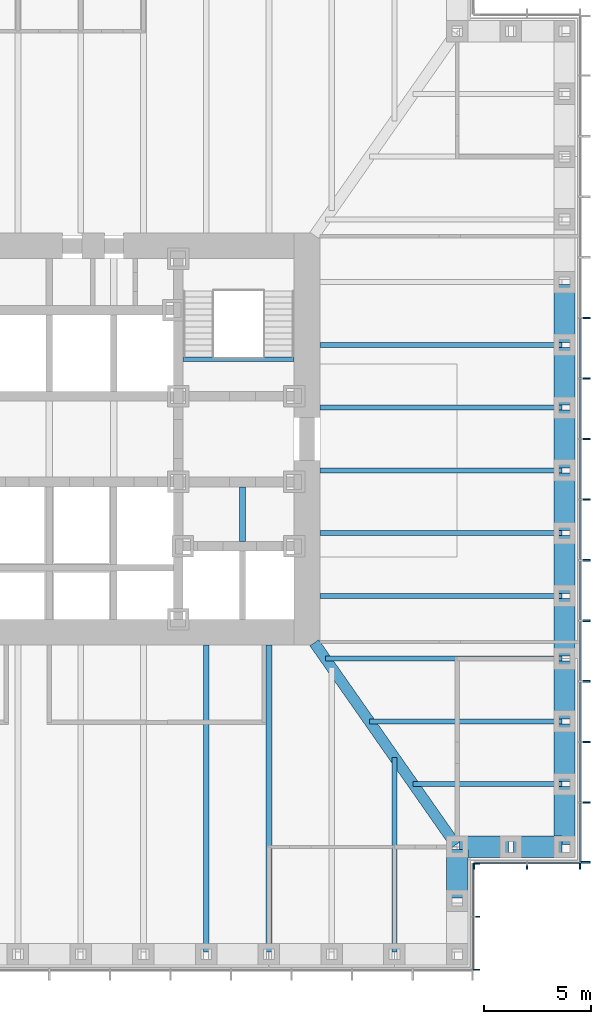
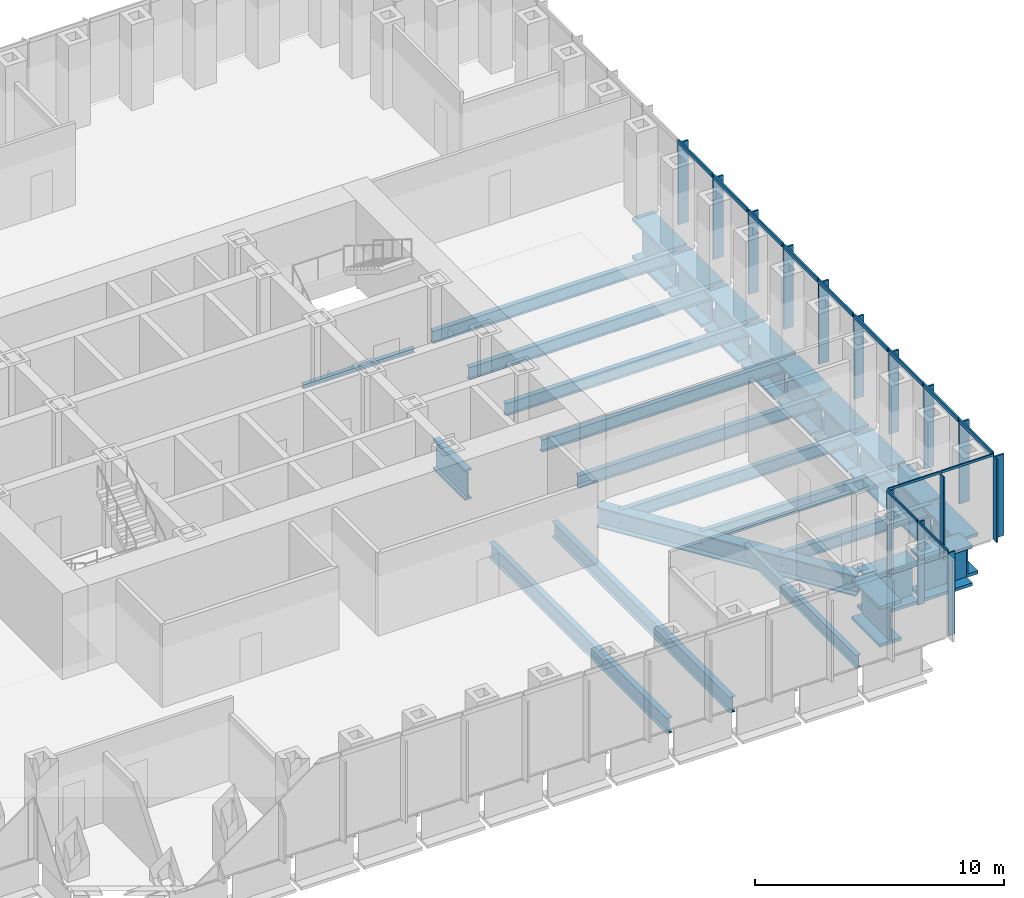
# One storey, part 4 of 16: 29 members, 26 beams, 3 elements without a shape of their own.
"""IFC4 building model written with IfcOpenShell, lengths in metres."""

from ifc_helpers import new_model, si_unit, direction, frame, origin, origin_2d, place, context, subcontext, project, spatial, rectangle, i_section, extrude, material, material_profile, profile_set, type_object, element, aggregate, save


model = new_model("IFC4")

# Units and contexts
model_context = context("Model", 3, precision=1e-05, world=origin(), true_north=direction((0.0, 1.0)))
body_context = subcontext(model_context, "Body", "Model", "MODEL_VIEW")
ifc_project = project(units=[si_unit("LENGTHUNIT", "METRE"), si_unit("AREAUNIT", "SQUARE_METRE"), si_unit("VOLUMEUNIT", "CUBIC_METRE"), si_unit("PLANEANGLEUNIT", "RADIAN"), si_unit("MASSUNIT", "GRAM", prefix="KILO")], contexts=[model_context])

# Site, building, storey
site_placement = place(None, origin())
site = spatial("IfcSite", under=ifc_project, at=site_placement, CompositionType="ELEMENT")
building_placement = place(site_placement, origin())
building = spatial("IfcBuilding", under=site, at=building_placement, Name="Daluyong Arena Tower", CompositionType="ELEMENT")
storey_placement = place(building_placement, frame((0.0, 0.0, 43.300048828125)))
storey = spatial("IfcBuildingStorey", under=building, at=storey_placement, Name="L08", CompositionType="ELEMENT", Elevation=43.300048828125)

# Curtain wall, members
ifc_material_1 = material(Name="Bronze anodised aluminium and glass", Category="aluminium")
curtain_wall_type_1 = type_object("IfcCurtainWallType", Name="Curtain wall CW1", PredefinedType="USERDEFINED", material=ifc_material_1)
curtain_wall_1_placement = place(storey_placement, origin())
curtain_wall_1 = element("IfcCurtainWall", 1, at=curtain_wall_1_placement, inside=storey, type_object=curtain_wall_type_1, Name="curtain wall L08 E", ObjectType="UNITISED CURTAIN WALL", PredefinedType="USERDEFINED")
ifc_material_2 = material(Name="Bronze anodised aluminium fin", Category="aluminium")
ifc_material_profile_1 = material_profile(ifc_material_2, rectangle(XDim=0.449951171875, YDim=0.080078125, at=origin_2d()))
ifc_profile_set_1 = profile_set([ifc_material_profile_1], Name="Bronze anodised aluminium fin")
member_type_1 = type_object("IfcMemberType", Name="CW1 bronze fin 450x80", PredefinedType="MULLION", material=ifc_profile_set_1)
member_1_placement = place(storey_placement, frame((80.97509765625, 60.2900390625, 0.0), z_axis=(0.0, 0.0, 1.0), x_axis=(-1.0, 0.0, 0.0)))
member_1 = element("IfcMember", 2, at=member_1_placement, type_object=member_type_1, Name="curtain wall L08 E fin 1", PredefinedType="MULLION", context=body_context, shape_type="SweptSolid", body=[
    extrude(rectangle(XDim=0.449951171875, YDim=0.080078125, at=origin_2d()), origin(), (0.0, 0.0, 1.0), 4.0),
])
member_2_placement = place(storey_placement, frame((80.97509765625, 63.071533203125, 0.0), z_axis=(0.0, 0.0, 1.0), x_axis=(-1.0, 0.0, 0.0)))
member_2 = element("IfcMember", 3, at=member_2_placement, type_object=member_type_1, Name="curtain wall L08 E fin 2", PredefinedType="MULLION", context=body_context, shape_type="SweptSolid", body=[
    extrude(rectangle(XDim=0.449951171875, YDim=0.080078125, at=origin_2d()), origin(), (0.0, 0.0, 1.0), 4.0),
])
member_3_placement = place(storey_placement, frame((80.97509765625, 65.892822265625, 0.0), z_axis=(0.0, 0.0, 1.0), x_axis=(-1.0, 0.0, 0.0)))
member_3 = element("IfcMember", 4, at=member_3_placement, type_object=member_type_1, Name="curtain wall L08 E fin 3", PredefinedType="MULLION", context=body_context, shape_type="SweptSolid", body=[
    extrude(rectangle(XDim=0.449951171875, YDim=0.080078125, at=origin_2d()), origin(), (0.0, 0.0, 1.0), 4.0),
])
member_4_placement = place(storey_placement, frame((80.97509765625, 68.71435546875, 0.0), z_axis=(0.0, 0.0, 1.0), x_axis=(-1.0, 0.0, 0.0)))
member_4 = element("IfcMember", 5, at=member_4_placement, type_object=member_type_1, Name="curtain wall L08 E fin 4", PredefinedType="MULLION", context=body_context, shape_type="SweptSolid", body=[
    extrude(rectangle(XDim=0.449951171875, YDim=0.080078125, at=origin_2d()), origin(), (0.0, 0.0, 1.0), 4.0),
])
member_5_placement = place(storey_placement, frame((80.97509765625, 71.53564453125, 0.0), z_axis=(0.0, 0.0, 1.0), x_axis=(-1.0, 0.0, 0.0)))
member_5 = element("IfcMember", 6, at=member_5_placement, type_object=member_type_1, Name="curtain wall L08 E fin 5", PredefinedType="MULLION", context=body_context, shape_type="SweptSolid", body=[
    extrude(rectangle(XDim=0.449951171875, YDim=0.080078125, at=origin_2d()), origin(), (0.0, 0.0, 1.0), 4.0),
])
member_6_placement = place(storey_placement, frame((80.97509765625, 74.357177734375, 0.0), z_axis=(0.0, 0.0, 1.0), x_axis=(-1.0, 0.0, 0.0)))
member_6 = element("IfcMember", 7, at=member_6_placement, type_object=member_type_1, Name="curtain wall L08 E fin 6", PredefinedType="MULLION", context=body_context, shape_type="SweptSolid", body=[
    extrude(rectangle(XDim=0.449951171875, YDim=0.080078125, at=origin_2d()), origin(), (0.0, 0.0, 1.0), 4.0),
])
member_7_placement = place(storey_placement, frame((80.97509765625, 77.178466796875, 0.0), z_axis=(0.0, 0.0, 1.0), x_axis=(-1.0, 0.0, 0.0)))
member_7 = element("IfcMember", 8, at=member_7_placement, type_object=member_type_1, Name="curtain wall L08 E fin 7", PredefinedType="MULLION", context=body_context, shape_type="SweptSolid", body=[
    extrude(rectangle(XDim=0.449951171875, YDim=0.080078125, at=origin_2d()), origin(), (0.0, 0.0, 1.0), 4.0),
])
member_8_placement = place(storey_placement, frame((80.97509765625, 80.0, 0.0), z_axis=(0.0, 0.0, 1.0), x_axis=(-1.0, 0.0, 0.0)))
member_8 = element("IfcMember", 9, at=member_8_placement, type_object=member_type_1, Name="curtain wall L08 E fin 8", PredefinedType="MULLION", context=body_context, shape_type="SweptSolid", body=[
    extrude(rectangle(XDim=0.449951171875, YDim=0.080078125, at=origin_2d()), origin(), (0.0, 0.0, 1.0), 4.0),
])
member_9_placement = place(storey_placement, frame((80.97509765625, 82.821533203125, 0.0), z_axis=(0.0, 0.0, 1.0), x_axis=(-1.0, 0.0, 0.0)))
member_9 = element("IfcMember", 10, at=member_9_placement, type_object=member_type_1, Name="curtain wall L08 E fin 9", PredefinedType="MULLION", context=body_context, shape_type="SweptSolid", body=[
    extrude(rectangle(XDim=0.449951171875, YDim=0.080078125, at=origin_2d()), origin(), (0.0, 0.0, 1.0), 4.0),
])
member_10_placement = place(storey_placement, frame((80.97509765625, 85.642822265625, 0.0), z_axis=(0.0, 0.0, 1.0), x_axis=(-1.0, 0.0, 0.0)))
member_10 = element("IfcMember", 11, at=member_10_placement, type_object=member_type_1, Name="curtain wall L08 E fin 10", PredefinedType="MULLION", context=body_context, shape_type="SweptSolid", body=[
    extrude(rectangle(XDim=0.449951171875, YDim=0.080078125, at=origin_2d()), origin(), (0.0, 0.0, 1.0), 4.0),
])
ifc_material_3 = material(Name="Bronze anodised aluminium", Category="aluminium")
ifc_material_profile_2 = material_profile(ifc_material_3, rectangle(XDim=0.080078125, YDim=0.199951171875, at=origin_2d()))
ifc_profile_set_2 = profile_set([ifc_material_profile_2], Name="Bronze anodised aluminium")
member_type_2 = type_object("IfcMemberType", Name="CW1 stack transom 200x80", PredefinedType="USERDEFINED", material=ifc_profile_set_2)
member_11_placement = place(storey_placement, frame((80.75, 60.330078125, 4.099853515625), z_axis=(0.0, 1.0, 0.0), x_axis=(-1.0, 0.0, 0.0)))
member_11 = element("IfcMember", 12, at=member_11_placement, type_object=member_type_2, Name="curtain wall L08 E transom 1", ObjectType="TRANSOM", PredefinedType="USERDEFINED", context=body_context, shape_type="SweptSolid", body=[
    extrude(rectangle(XDim=0.080078125, YDim=0.199951171875, at=origin_2d()), origin(), (0.0, 0.0, 1.0), 2.701416015625),
])
member_12_placement = place(storey_placement, frame((80.75, 63.111328125, 4.099853515625), z_axis=(0.0, 1.0, 0.0), x_axis=(-1.0, 0.0, 0.0)))
member_12 = element("IfcMember", 13, at=member_12_placement, type_object=member_type_2, Name="curtain wall L08 E transom 2", ObjectType="TRANSOM", PredefinedType="USERDEFINED", context=body_context, shape_type="SweptSolid", body=[
    extrude(rectangle(XDim=0.080078125, YDim=0.199951171875, at=origin_2d()), origin(), (0.0, 0.0, 1.0), 2.741455078125),
])
member_13_placement = place(storey_placement, frame((80.75, 65.932861328125, 4.099853515625), z_axis=(0.0, 1.0, 0.0), x_axis=(-1.0, 0.0, 0.0)))
member_13 = element("IfcMember", 14, at=member_13_placement, type_object=member_type_2, Name="curtain wall L08 E transom 3", ObjectType="TRANSOM", PredefinedType="USERDEFINED", context=body_context, shape_type="SweptSolid", body=[
    extrude(rectangle(XDim=0.080078125, YDim=0.199951171875, at=origin_2d()), origin(), (0.0, 0.0, 1.0), 2.741455078125),
])
member_14_placement = place(storey_placement, frame((80.75, 68.75439453125, 4.099853515625), z_axis=(0.0, 1.0, 0.0), x_axis=(-1.0, 0.0, 0.0)))
member_14 = element("IfcMember", 15, at=member_14_placement, type_object=member_type_2, Name="curtain wall L08 E transom 4", ObjectType="TRANSOM", PredefinedType="USERDEFINED", context=body_context, shape_type="SweptSolid", body=[
    extrude(rectangle(XDim=0.080078125, YDim=0.199951171875, at=origin_2d()), origin(), (0.0, 0.0, 1.0), 2.7412109375),
])
member_15_placement = place(storey_placement, frame((80.75, 71.57568359375, 4.099853515625), z_axis=(0.0, 1.0, 0.0), x_axis=(-1.0, 0.0, 0.0)))
member_15 = element("IfcMember", 16, at=member_15_placement, type_object=member_type_2, Name="curtain wall L08 E transom 5", ObjectType="TRANSOM", PredefinedType="USERDEFINED", context=body_context, shape_type="SweptSolid", body=[
    extrude(rectangle(XDim=0.080078125, YDim=0.199951171875, at=origin_2d()), origin(), (0.0, 0.0, 1.0), 2.741455078125),
])
member_16_placement = place(storey_placement, frame((80.75, 74.397216796875, 4.099853515625), z_axis=(0.0, 1.0, 0.0), x_axis=(-1.0, 0.0, 0.0)))
member_16 = element("IfcMember", 17, at=member_16_placement, type_object=member_type_2, Name="curtain wall L08 E transom 6", ObjectType="TRANSOM", PredefinedType="USERDEFINED", context=body_context, shape_type="SweptSolid", body=[
    extrude(rectangle(XDim=0.080078125, YDim=0.199951171875, at=origin_2d()), origin(), (0.0, 0.0, 1.0), 2.741455078125),
])
member_17_placement = place(storey_placement, frame((80.75, 77.218505859375, 4.099853515625), z_axis=(0.0, 1.0, 0.0), x_axis=(-1.0, 0.0, 0.0)))
member_17 = element("IfcMember", 18, at=member_17_placement, type_object=member_type_2, Name="curtain wall L08 E transom 7", ObjectType="TRANSOM", PredefinedType="USERDEFINED", context=body_context, shape_type="SweptSolid", body=[
    extrude(rectangle(XDim=0.080078125, YDim=0.199951171875, at=origin_2d()), origin(), (0.0, 0.0, 1.0), 2.741455078125),
])
member_18_placement = place(storey_placement, frame((80.75, 80.0400390625, 4.099853515625), z_axis=(0.0, 1.0, 0.0), x_axis=(-1.0, 0.0, 0.0)))
member_18 = element("IfcMember", 19, at=member_18_placement, type_object=member_type_2, Name="curtain wall L08 E transom 8", ObjectType="TRANSOM", PredefinedType="USERDEFINED", context=body_context, shape_type="SweptSolid", body=[
    extrude(rectangle(XDim=0.080078125, YDim=0.199951171875, at=origin_2d()), origin(), (0.0, 0.0, 1.0), 2.741455078125),
])
member_19_placement = place(storey_placement, frame((80.75, 82.861328125, 4.099853515625), z_axis=(0.0, 1.0, 0.0), x_axis=(-1.0, 0.0, 0.0)))
member_19 = element("IfcMember", 20, at=member_19_placement, type_object=member_type_2, Name="curtain wall L08 E transom 9", ObjectType="TRANSOM", PredefinedType="USERDEFINED", context=body_context, shape_type="SweptSolid", body=[
    extrude(rectangle(XDim=0.080078125, YDim=0.199951171875, at=origin_2d()), origin(), (0.0, 0.0, 1.0), 2.741455078125),
])
aggregate(curtain_wall_1, [member_1, member_2, member_3, member_4, member_5, member_6, member_7, member_8, member_9, member_10, member_11, member_12, member_13, member_14, member_15, member_16, member_17, member_18, member_19])

ifc_material_4 = material(Name="Bronze anodised aluminium and glass", Category="aluminium")
curtain_wall_type_2 = type_object("IfcCurtainWallType", Name="Curtain wall CW7", PredefinedType="USERDEFINED", material=ifc_material_4)
curtain_wall_2_placement = place(storey_placement, origin())
curtain_wall_2 = element("IfcCurtainWall", 21, at=curtain_wall_2_placement, inside=storey, type_object=curtain_wall_type_2, Name="curtain wall L08 SE-E", ObjectType="UNITISED CURTAIN WALL", PredefinedType="USERDEFINED")
ifc_material_5 = material(Name="Bronze anodised aluminium fin", Category="aluminium")
ifc_material_profile_3 = material_profile(ifc_material_5, rectangle(XDim=0.300048828125, YDim=0.06005859375, at=origin_2d()))
ifc_profile_set_3 = profile_set([ifc_material_profile_3], Name="Bronze anodised aluminium fin")
member_type_3 = type_object("IfcMemberType", Name="CW7 bronze fin 300x60", PredefinedType="MULLION", material=ifc_profile_set_3)
member_20_placement = place(storey_placement, frame((75.89990234375, 55.280029296875, 0.0), z_axis=(0.0, 0.0, 1.0), x_axis=(-1.0, 0.0, 0.0)))
member_20 = element("IfcMember", 22, at=member_20_placement, type_object=member_type_3, Name="curtain wall L08 SE-E fin 1", PredefinedType="MULLION", context=body_context, shape_type="SweptSolid", body=[
    extrude(rectangle(XDim=0.300048828125, YDim=0.06005859375, at=origin_2d()), origin(), (0.0, 0.0, 1.0), 4.079833984375),
])
member_21_placement = place(storey_placement, frame((75.89990234375, 57.75, 0.0), z_axis=(0.0, 0.0, 1.0), x_axis=(-1.0, 0.0, 0.0)))
member_21 = element("IfcMember", 23, at=member_21_placement, type_object=member_type_3, Name="curtain wall L08 SE-E fin 2", PredefinedType="MULLION", context=body_context, shape_type="SweptSolid", body=[
    extrude(rectangle(XDim=0.300048828125, YDim=0.06005859375, at=origin_2d()), origin(), (0.0, 0.0, 1.0), 4.079833984375),
])
member_22_placement = place(storey_placement, frame((75.89990234375, 60.219970703125, 0.0), z_axis=(0.0, 0.0, 1.0), x_axis=(-1.0, 0.0, 0.0)))
member_22 = element("IfcMember", 24, at=member_22_placement, type_object=member_type_3, Name="curtain wall L08 SE-E fin 3", PredefinedType="MULLION", context=body_context, shape_type="SweptSolid", body=[
    extrude(rectangle(XDim=0.300048828125, YDim=0.06005859375, at=origin_2d()), origin(), (0.0, 0.0, 1.0), 4.079833984375),
])

curtain_wall_3_placement = place(storey_placement, origin())
curtain_wall_3 = element("IfcCurtainWall", 25, at=curtain_wall_3_placement, inside=storey, type_object=curtain_wall_type_2, Name="curtain wall L08 SE-S", ObjectType="UNITISED CURTAIN WALL", PredefinedType="USERDEFINED")
member_23_placement = place(storey_placement, frame((75.780029296875, 60.10009765625, 0.0), z_axis=(0.0, 0.0, 1.0), x_axis=(0.0, 1.0, 0.0)))
member_23 = element("IfcMember", 26, at=member_23_placement, type_object=member_type_3, Name="curtain wall L08 SE-S fin 1", PredefinedType="MULLION", context=body_context, shape_type="SweptSolid", body=[
    extrude(rectangle(XDim=0.300048828125, YDim=0.06005859375, at=origin_2d()), origin(), (0.0, 0.0, 1.0), 4.079833984375),
])
member_24_placement = place(storey_placement, frame((78.25, 60.10009765625, 0.0), z_axis=(0.0, 0.0, 1.0), x_axis=(0.0, 1.0, 0.0)))
member_24 = element("IfcMember", 27, at=member_24_placement, type_object=member_type_3, Name="curtain wall L08 SE-S fin 2", PredefinedType="MULLION", context=body_context, shape_type="SweptSolid", body=[
    extrude(rectangle(XDim=0.300048828125, YDim=0.06005859375, at=origin_2d()), origin(), (0.0, 0.0, 1.0), 4.079833984375),
])
member_25_placement = place(storey_placement, frame((80.719970703125, 60.10009765625, 0.0), z_axis=(0.0, 0.0, 1.0), x_axis=(0.0, 1.0, 0.0)))
member_25 = element("IfcMember", 28, at=member_25_placement, type_object=member_type_3, Name="curtain wall L08 SE-S fin 3", PredefinedType="MULLION", context=body_context, shape_type="SweptSolid", body=[
    extrude(rectangle(XDim=0.300048828125, YDim=0.06005859375, at=origin_2d()), origin(), (0.0, 0.0, 1.0), 4.079833984375),
])

# Member
ifc_material_6 = material(Name="Bronze anodised aluminium", Category="aluminium")
ifc_material_profile_4 = material_profile(ifc_material_6, rectangle(XDim=0.06005859375, YDim=0.1201171875, at=origin_2d()))
ifc_profile_set_4 = profile_set([ifc_material_profile_4], Name="Bronze anodised aluminium")
member_type_4 = type_object("IfcMemberType", Name="CW7 stack transom 120x60", PredefinedType="USERDEFINED", material=ifc_profile_set_4)
member_26_placement = place(storey_placement, frame((75.75, 55.31005859375, 4.139892578125), z_axis=(0.0, 1.0, 0.0), x_axis=(-1.0, 0.0, 0.0)))
member_26 = element("IfcMember", 29, at=member_26_placement, type_object=member_type_4, Name="curtain wall L08 SE-E transom 1", ObjectType="TRANSOM", PredefinedType="USERDEFINED", context=body_context, shape_type="SweptSolid", body=[
    extrude(rectangle(XDim=0.06005859375, YDim=0.1201171875, at=origin_2d()), origin(), (0.0, 0.0, 1.0), 2.409912109375),
])

member_27_placement = place(storey_placement, frame((75.75, 57.780029296875, 4.139892578125), z_axis=(0.0, 1.0, 0.0), x_axis=(-1.0, 0.0, 0.0)))
member_27 = element("IfcMember", 30, at=member_27_placement, type_object=member_type_4, Name="curtain wall L08 SE-E transom 2", ObjectType="TRANSOM", PredefinedType="USERDEFINED", context=body_context, shape_type="SweptSolid", body=[
    extrude(rectangle(XDim=0.06005859375, YDim=0.1201171875, at=origin_2d()), origin(), (0.0, 0.0, 1.0), 2.409912109375),
])

aggregate(curtain_wall_2, [member_20, member_21, member_22, member_26, member_27])

member_28_placement = place(storey_placement, frame((75.81005859375, 60.25, 4.139892578125), z_axis=(1.0, 0.0, 0.0), x_axis=(0.0, 1.0, 0.0)))
member_28 = element("IfcMember", 31, at=member_28_placement, type_object=member_type_4, Name="curtain wall L08 SE-S transom 1", ObjectType="TRANSOM", PredefinedType="USERDEFINED", context=body_context, shape_type="SweptSolid", body=[
    extrude(rectangle(XDim=0.06005859375, YDim=0.1201171875, at=origin_2d()), origin(), (0.0, 0.0, 1.0), 2.409912109375),
])

member_29_placement = place(storey_placement, frame((78.280029296875, 60.25, 4.139892578125), z_axis=(1.0, 0.0, 0.0), x_axis=(0.0, 1.0, 0.0)))
member_29 = element("IfcMember", 32, at=member_29_placement, type_object=member_type_4, Name="curtain wall L08 SE-S transom 2", ObjectType="TRANSOM", PredefinedType="USERDEFINED", context=body_context, shape_type="SweptSolid", body=[
    extrude(rectangle(XDim=0.06005859375, YDim=0.1201171875, at=origin_2d()), origin(), (0.0, 0.0, 1.0), 2.409912109375),
])

aggregate(curtain_wall_3, [member_23, member_24, member_25, member_28, member_29])

# Beams
ifc_material_7 = material(Name="Steel ASTM A572 Grade 50", Category="steel")
ifc_material_profile_5 = material_profile(ifc_material_7, i_section(OverallWidth=0.5, OverallDepth=1.0, WebThickness=0.03, FlangeThickness=0.06, at=origin_2d()))
ifc_profile_set_5 = profile_set([ifc_material_profile_5], Name="Steel ASTM A572 Grade 50")
beam_type_1 = type_object("IfcBeamType", Name="Corner girder TB1000X500", PredefinedType="BEAM", material=ifc_profile_set_5)
beam_1_placement = place(storey_placement, frame((74.93408203125, 61.09423828125, -0.66015625), z_axis=(-0.573466621875, 0.819228926244, 0.0), x_axis=(-0.819228926244, -0.573466621875, 0.0)))
element("IfcBeam", 33, at=beam_1_placement, inside=storey, type_object=beam_type_1, Name="corner girder DG2", PredefinedType="BEAM", context=body_context, shape_type="SweptSolid", body=[
    extrude(i_section(OverallWidth=0.5, OverallDepth=1.0, WebThickness=0.03, FlangeThickness=0.06, at=origin_2d()), origin(), (0.0, 0.0, 1.0), 11.49169921875),
])
ifc_material_8 = material(Name="Steel ASTM A992 Grade 50", Category="steel")
ifc_material_profile_6 = material_profile(ifc_material_8, i_section(OverallWidth=0.22900390625, OverallDepth=0.612060546875, WebThickness=0.011962890625, FlangeThickness=0.01953125, at=origin_2d()))
ifc_profile_set_6 = profile_set([ifc_material_profile_6], Name="Steel ASTM A992 Grade 50")
beam_type_2 = type_object("IfcBeamType", Name="Floor beam W24X84", PredefinedType="BEAM", material=ifc_profile_set_6)
beam_2_placement = place(storey_placement, frame((72.076904296875, 56.114990234375, -0.466064453125), z_axis=(0.0, 1.0, 0.0), x_axis=(-1.0, 0.0, 0.0)))
element("IfcBeam", 34, at=beam_2_placement, inside=storey, type_object=beam_type_2, Name="floor beam FB3", PredefinedType="BEAM", context=body_context, shape_type="SweptSolid", body=[
    extrude(i_section(OverallWidth=0.22900390625, OverallDepth=0.612060546875, WebThickness=0.011962890625, FlangeThickness=0.01953125, at=origin_2d()), origin(), (0.0, 0.0, 1.0), 9.060791015625),
])
beam_3_placement = place(storey_placement, frame((79.885009765625, 63.923095703125, -0.466064453125), z_axis=(-1.0, 0.0, 0.0), x_axis=(0.0, -1.0, 0.0)))
element("IfcBeam", 35, at=beam_3_placement, inside=storey, type_object=beam_type_2, Name="floor beam FB3", PredefinedType="BEAM", context=body_context, shape_type="SweptSolid", body=[
    extrude(i_section(OverallWidth=0.22900390625, OverallDepth=0.612060546875, WebThickness=0.011962890625, FlangeThickness=0.01953125, at=origin_2d()), origin(), (0.0, 0.0, 1.0), 6.93115234375),
])
beam_4_placement = place(storey_placement, frame((79.885009765625, 66.84619140625, -0.466064453125), z_axis=(-1.0, 0.0, 0.0), x_axis=(0.0, -1.0, 0.0)))
element("IfcBeam", 36, at=beam_4_placement, inside=storey, type_object=beam_type_2, Name="floor beam FB3", PredefinedType="BEAM", context=body_context, shape_type="SweptSolid", body=[
    extrude(i_section(OverallWidth=0.22900390625, OverallDepth=0.612060546875, WebThickness=0.011962890625, FlangeThickness=0.01953125, at=origin_2d()), origin(), (0.0, 0.0, 1.0), 8.977294921875),
])
beam_5_placement = place(storey_placement, frame((79.885009765625, 69.769287109375, -0.466064453125), z_axis=(-1.0, 0.0, 0.0), x_axis=(0.0, -1.0, 0.0)))
element("IfcBeam", 37, at=beam_5_placement, inside=storey, type_object=beam_type_2, Name="floor beam FB3", PredefinedType="BEAM", context=body_context, shape_type="SweptSolid", body=[
    extrude(i_section(OverallWidth=0.22900390625, OverallDepth=0.612060546875, WebThickness=0.011962890625, FlangeThickness=0.01953125, at=origin_2d()), origin(), (0.0, 0.0, 1.0), 11.0234375),
])
for number, where, z_axis, x_axis, name in (
    (38, (79.885009765625, 72.6923828125, -0.466064453125), (-1.0, 0.0, 0.0), (0.0, -1.0, 0.0), "floor beam FB3"),
    (39, (79.885009765625, 75.615478515625, -0.466064453125), (-1.0, 0.0, 0.0), (0.0, -1.0, 0.0), "floor beam FB3"),
    (40, (79.885009765625, 78.53857421875, -0.466064453125), (-1.0, 0.0, 0.0), (0.0, -1.0, 0.0), "floor beam FB3"),
    (41, (79.885009765625, 81.46142578125, -0.466064453125), (-1.0, 0.0, 0.0), (0.0, -1.0, 0.0), "floor beam FB3"),
    (42, (79.885009765625, 84.384521484375, -0.466064453125), (-1.0, 0.0, 0.0), (0.0, -1.0, 0.0), "floor beam FB3"),
):
    element("IfcBeam", number, at=place(storey_placement, frame(where, z_axis=z_axis, x_axis=x_axis)), inside=storey, type_object=beam_type_2, Name=name, PredefinedType="BEAM", context=body_context, shape_type="SweptSolid", body=[
        extrude(i_section(OverallWidth=0.22900390625, OverallDepth=0.612060546875, WebThickness=0.011962890625, FlangeThickness=0.01953125, at=origin_2d()), origin(), (0.0, 0.0, 1.0), 11.284912109375),
    ])
ifc_material_9 = material(Name="Steel ASTM A992 Grade 50", Category="steel")
ifc_material_profile_7 = material_profile(ifc_material_9, i_section(OverallWidth=0.2666015625, OverallDepth=0.761962890625, WebThickness=0.014404296875, FlangeThickness=0.021484375, at=origin_2d()))
ifc_profile_set_7 = profile_set([ifc_material_profile_7], Name="Steel ASTM A992 Grade 50")
beam_type_3 = type_object("IfcBeamType", Name="Floor beam W30X116", PredefinedType="BEAM", material=ifc_profile_set_7)
for number, where, z_axis, x_axis, name in (
    (43, (63.3076171875, 56.114990234375, -0.541015625), (0.0, 1.0, 0.0), (-1.0, 0.0, 0.0), "floor beam FB4"),
    (44, (66.230712890625, 56.114990234375, -0.541015625), (0.0, 1.0, 0.0), (-1.0, 0.0, 0.0), "floor beam FB4"),
):
    element("IfcBeam", number, at=place(storey_placement, frame(where, z_axis=z_axis, x_axis=x_axis)), inside=storey, type_object=beam_type_3, Name=name, PredefinedType="BEAM", context=body_context, shape_type="SweptSolid", body=[
        extrude(i_section(OverallWidth=0.2666015625, OverallDepth=0.761962890625, WebThickness=0.014404296875, FlangeThickness=0.021484375, at=origin_2d()), origin(), (0.0, 0.0, 1.0), 14.284912109375),
    ])
ifc_material_10 = material(Name="Steel ASTM A572 Grade 50", Category="steel")
ifc_material_profile_8 = material_profile(ifc_material_10, i_section(OverallWidth=0.300048828125, OverallDepth=1.5, WebThickness=0.04, FlangeThickness=0.1, at=origin_2d()))
ifc_profile_set_8 = profile_set([ifc_material_profile_8], Name="Steel ASTM A572 Grade 50")
beam_type_4 = type_object("IfcBeamType", Name="Lift divider beam PG1500X300", PredefinedType="BEAM", material=ifc_profile_set_8)
beam_6_placement = place(storey_placement, frame((65.0, 75.22509765625, -0.91015625), z_axis=(0.0, 1.0, 0.0), x_axis=(-1.0, 0.0, 0.0)))
element("IfcBeam", 45, at=beam_6_placement, inside=storey, type_object=beam_type_4, Name="lift divider beam DB2", PredefinedType="BEAM", context=body_context, shape_type="SweptSolid", body=[
    extrude(i_section(OverallWidth=0.300048828125, OverallDepth=1.5, WebThickness=0.04, FlangeThickness=0.1, at=origin_2d()), origin(), (0.0, 0.0, 1.0), 2.5498046875),
])
ifc_material_11 = material(Name="Steel ASTM A588 Grade 50", Category="steel")
ifc_material_profile_9 = material_profile(ifc_material_11, i_section(OverallWidth=1.0, OverallDepth=2.0, WebThickness=0.06, FlangeThickness=0.15, at=origin_2d()))
ifc_profile_set_9 = profile_set([ifc_material_profile_9], Name="Steel ASTM A588 Grade 50")
beam_type_5 = type_object("IfcBeamType", Name="Spandrel Z1 PG2000X1000", PredefinedType="SPANDREL", material=ifc_profile_set_9)
for number, where, z_axis, x_axis, name in (
    (46, (75.0, 58.614990234375, -1.16015625), (0.0, 1.0, 0.0), (-1.0, 0.0, 0.0), "spandrel z1 SB2"),
    (47, (75.114990234375, 61.0, -1.16015625), (1.0, 0.0, 0.0), (0.0, 1.0, 0.0), "spandrel z1 SB2"),
    (48, (77.614990234375, 61.0, -1.16015625), (1.0, 0.0, 0.0), (0.0, 1.0, 0.0), "spandrel z1 SB2"),
):
    element("IfcBeam", number, at=place(storey_placement, frame(where, z_axis=z_axis, x_axis=x_axis)), inside=storey, type_object=beam_type_5, Name=name, PredefinedType="SPANDREL", context=body_context, shape_type="SweptSolid", body=[
        extrude(i_section(OverallWidth=1.0, OverallDepth=2.0, WebThickness=0.06, FlangeThickness=0.15, at=origin_2d()), origin(), (0.0, 0.0, 1.0), 2.27001953125),
    ])
for number, where, z_axis, x_axis, name in (
    (49, (80.0, 61.114990234375, -1.16015625), (0.0, 1.0, 0.0), (-1.0, 0.0, 0.0), "spandrel z1 SB2"),
    (50, (80.0, 64.0380859375, -1.16015625), (0.0, 1.0, 0.0), (-1.0, 0.0, 0.0), "spandrel z1 SB2"),
    (51, (80.0, 66.961181640625, -1.16015625), (0.0, 1.0, 0.0), (-1.0, 0.0, 0.0), "spandrel z1 SB2"),
    (52, (80.0, 69.88427734375, -1.16015625), (0.0, 1.0, 0.0), (-1.0, 0.0, 0.0), "spandrel z1 SB2"),
    (53, (80.0, 72.807373046875, -1.16015625), (0.0, 1.0, 0.0), (-1.0, 0.0, 0.0), "spandrel z1 SB2"),
    (54, (80.0, 75.73046875, -1.16015625), (0.0, 1.0, 0.0), (-1.0, 0.0, 0.0), "spandrel z1 SB2"),
):
    element("IfcBeam", number, at=place(storey_placement, frame(where, z_axis=z_axis, x_axis=x_axis)), inside=storey, type_object=beam_type_5, Name=name, PredefinedType="SPANDREL", context=body_context, shape_type="SweptSolid", body=[
        extrude(i_section(OverallWidth=1.0, OverallDepth=2.0, WebThickness=0.06, FlangeThickness=0.15, at=origin_2d()), origin(), (0.0, 0.0, 1.0), 2.693115234375),
    ])
beam_7_placement = place(storey_placement, frame((80.0, 78.653564453125, -1.16015625), z_axis=(0.0, 1.0, 0.0), x_axis=(-1.0, 0.0, 0.0)))
element("IfcBeam", 55, at=beam_7_placement, inside=storey, type_object=beam_type_5, Name="spandrel z1 SB2", PredefinedType="SPANDREL", context=body_context, shape_type="SweptSolid", body=[
    extrude(i_section(OverallWidth=1.0, OverallDepth=2.0, WebThickness=0.06, FlangeThickness=0.15, at=origin_2d()), origin(), (0.0, 0.0, 1.0), 2.69287109375),
])
for number, where, z_axis, x_axis, name in (
    (56, (80.0, 81.576416015625, -1.16015625), (0.0, 1.0, 0.0), (-1.0, 0.0, 0.0), "spandrel z1 SB2"),
    (57, (80.0, 84.49951171875, -1.16015625), (0.0, 1.0, 0.0), (-1.0, 0.0, 0.0), "spandrel z1 SB2"),
):
    element("IfcBeam", number, at=place(storey_placement, frame(where, z_axis=z_axis, x_axis=x_axis)), inside=storey, type_object=beam_type_5, Name=name, PredefinedType="SPANDREL", context=body_context, shape_type="SweptSolid", body=[
        extrude(i_section(OverallWidth=1.0, OverallDepth=2.0, WebThickness=0.06, FlangeThickness=0.15, at=origin_2d()), origin(), (0.0, 0.0, 1.0), 2.693115234375),
    ])
ifc_material_12 = material(Name="Steel ASTM A992 Grade 50", Category="steel")
ifc_material_profile_10 = material_profile(ifc_material_12, i_section(OverallWidth=0.203125, OverallDepth=0.203125, WebThickness=0.00732421875, FlangeThickness=0.010986328125, at=origin_2d()))
ifc_profile_set_10 = profile_set([ifc_material_profile_10], Name="Steel ASTM A992 Grade 50")
beam_type_6 = type_object("IfcBeamType", Name="Stair landing beam W8X31", PredefinedType="BEAM", material=ifc_profile_set_10)
beam_8_placement = place(storey_placement, frame((62.22509765625, 83.723388671875, -0.26171875), z_axis=(1.0, 0.0, 0.0), x_axis=(0.0, 1.0, 0.0)))
element("IfcBeam", 58, at=beam_8_placement, inside=storey, type_object=beam_type_6, Name="exit stair B landing beam", PredefinedType="BEAM", context=body_context, shape_type="SweptSolid", body=[
    extrude(i_section(OverallWidth=0.203125, OverallDepth=0.203125, WebThickness=0.00732421875, FlangeThickness=0.010986328125, at=origin_2d()), origin(), (0.0, 0.0, 1.0), 5.1748046875),
])

save(model, "model.ifc")
